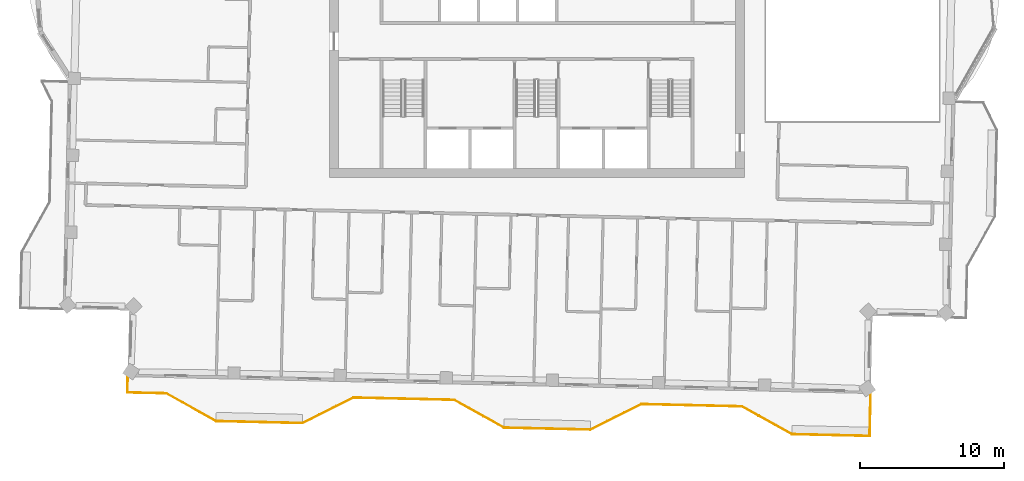
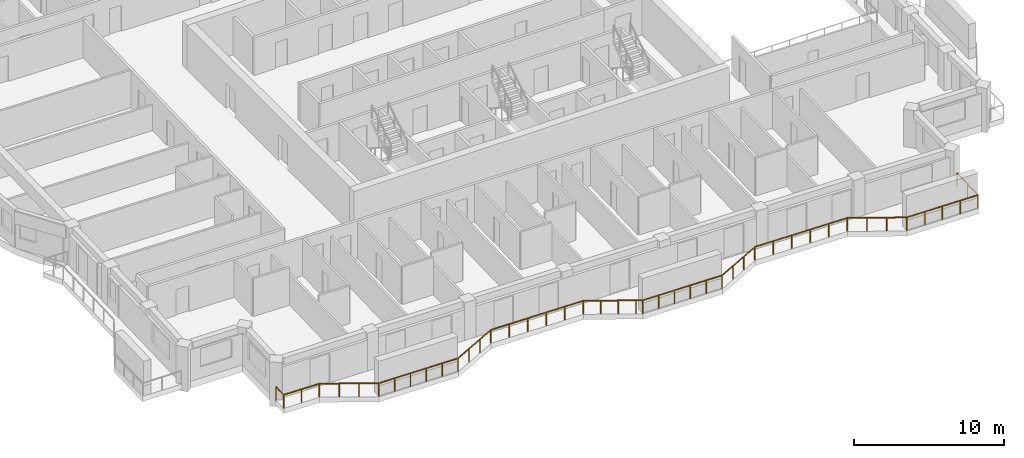
# One storey, part 13 of 15: 1 railing.
"""IFC4 building model written with IfcOpenShell, lengths in metres."""

from ifc_helpers import new_model, si_unit, direction, frame, origin, origin_2d, place, context, subcontext, project, spatial, rectangle, extrude, material, type_object, element, save


model = new_model("IFC4")

# Units and contexts
model_context = context("Model", 3, precision=1e-05, world=origin(), true_north=direction((0.0, 1.0)))
body_context = subcontext(model_context, "Body", "Model", "MODEL_VIEW")
ifc_project = project(units=[si_unit("LENGTHUNIT", "METRE"), si_unit("AREAUNIT", "SQUARE_METRE"), si_unit("VOLUMEUNIT", "CUBIC_METRE"), si_unit("PLANEANGLEUNIT", "RADIAN"), si_unit("MASSUNIT", "GRAM", prefix="KILO")], contexts=[model_context])

# Site, building, storey
site_placement = place(None, origin())
site = spatial("IfcSite", under=ifc_project, at=site_placement, CompositionType="ELEMENT")
building_placement = place(site_placement, origin())
building = spatial("IfcBuilding", under=site, at=building_placement, Name="Mangrove Gate Tower", CompositionType="ELEMENT")
storey_placement = place(building_placement, frame((0.0, 0.0, 316.89990234375)))
storey = spatial("IfcBuildingStorey", under=building, at=storey_placement, Name="L81", CompositionType="ELEMENT", Elevation=316.89990234375)

# Railing
ifc_material = material(Name="Stainless steel grade 316 with laminated glass infill", Category="steel")
railing_type = type_object("IfcRailingType", Name="Balcony guard 1100", PredefinedType="GUARDRAIL", material=ifc_material)
railing_placement = place(storey_placement, frame((-28.41796875, -25.2890625, 0.0)))
element("IfcRailing", 1, at=railing_placement, inside=storey, type_object=railing_type, Name="GUARD L81 S1", PredefinedType="GUARDRAIL", context=body_context, shape_type="SweptSolid", body=[
    extrude(rectangle(XDim=0.048095703125, YDim=0.048095703125, at=origin_2d()), frame((0.0, 0.0, 1.076171875), z_axis=(-0.022590498181, -0.999744802133, 0.0), x_axis=(0.999744802133, -0.022590498181, 0.0)), (0.0, 0.0, 1.0), 1.05908203125),
    extrude(rectangle(XDim=0.048095703125, YDim=0.048095703125, at=origin_2d()), frame((-0.02392578125, -1.058837890625, 1.076171875), z_axis=(0.999744396973, -0.02260842146, 0.0), x_axis=(0.02260842146, 0.999744396973, 0.0)), (0.0, 0.0, 1.0), 2.69970703125),
    extrude(rectangle(XDim=0.048095703125, YDim=0.048095703125, at=origin_2d()), frame((2.675048828125, -1.119873046875, 1.076171875), z_axis=(0.87325689943, -0.48726008209, 0.0), x_axis=(0.48726008209, 0.87325689943, 0.0)), (0.0, 0.0, 1.0), 3.958740234375),
    extrude(rectangle(XDim=0.048095703125, YDim=0.048095703125, at=origin_2d()), frame((6.132080078125, -3.048828125, 1.076171875), z_axis=(0.999738527144, -0.022866511426, 0.0), x_axis=(0.022866511426, 0.999738527144, 0.0)), (0.0, 0.0, 1.0), 6.000244140625),
    extrude(rectangle(XDim=0.048095703125, YDim=0.048095703125, at=origin_2d()), frame((12.130859375, -3.18603515625, 1.076171875), z_axis=(0.894377854182, 0.447312255532, 0.0), x_axis=(-0.447312255532, 0.894377854182, 0.0)), (0.0, 0.0, 1.0), 3.959228515625),
    extrude(rectangle(XDim=0.048095703125, YDim=0.048095703125, at=origin_2d()), frame((15.671875, -1.4150390625, 1.076171875), z_axis=(0.999742195543, -0.022705559911, 0.0), x_axis=(0.022705559911, 0.999742195543, 0.0)), (0.0, 0.0, 1.0), 6.999755859375),
    extrude(rectangle(XDim=0.048095703125, YDim=0.048095703125, at=origin_2d()), frame((22.669921875, -1.573974609375, 1.076171875), z_axis=(0.873203214325, -0.487356282911, 0.0), x_axis=(0.487356282911, 0.873203214325, 0.0)), (0.0, 0.0, 1.0), 3.506591796875),
    extrude(rectangle(XDim=0.048095703125, YDim=0.048095703125, at=origin_2d()), frame((25.73193359375, -3.282958984375, 1.076171875), z_axis=(0.873672905931, -0.486513775182, 0.0), x_axis=(0.486513775182, 0.873672905931, 0.0)), (0.0, 0.0, 1.0), 0.4521484375),
    extrude(rectangle(XDim=0.048095703125, YDim=0.048095703125, at=origin_2d()), frame((26.126953125, -3.5029296875, 1.076171875), z_axis=(0.999743178102, -0.022662255828, 0.0), x_axis=(0.022662255828, 0.999743178102, 0.0)), (0.0, 0.0, 1.0), 6.00048828125),
    extrude(rectangle(XDim=0.048095703125, YDim=0.048095703125, at=origin_2d()), frame((32.1259765625, -3.638916015625, 1.076171875), z_axis=(0.894476522376, 0.447114919141, 0.0), x_axis=(-0.447114919141, 0.894476522376, 0.0)), (0.0, 0.0, 1.0), 3.958740234375),
    extrude(rectangle(XDim=0.048095703125, YDim=0.048095703125, at=origin_2d()), frame((35.6669921875, -1.868896484375, 1.076171875), z_axis=(0.999742195543, -0.022705559911, 0.0), x_axis=(0.022705559911, 0.999742195543, 0.0)), (0.0, 0.0, 1.0), 6.999755859375),
    extrude(rectangle(XDim=0.048095703125, YDim=0.048095703125, at=origin_2d()), frame((42.6650390625, -2.02783203125, 1.076171875), z_axis=(0.873230657876, -0.487307108654, 0.0), x_axis=(0.487307108654, 0.873230657876, 0.0)), (0.0, 0.0, 1.0), 3.958984375),
    extrude(rectangle(XDim=0.048095703125, YDim=0.048095703125, at=origin_2d()), frame((46.1220703125, -3.95703125, 1.076171875), z_axis=(0.999745510027, -0.022559148481, 0.0), x_axis=(0.022559148481, 0.999745510027, 0.0)), (0.0, 0.0, 1.0), 5.400390625),
    extrude(rectangle(XDim=0.048095703125, YDim=0.048095703125, at=origin_2d()), frame((51.52099609375, -4.078857421875, 1.076171875), z_axis=(0.022654696127, 0.999743349437, 0.0), x_axis=(-0.999743349437, 0.022654696127, 0.0)), (0.0, 0.0, 1.0), 2.90966796875),
    extrude(rectangle(XDim=0.0419921875, YDim=0.0419921875, at=origin_2d()), origin(), (0.0, 0.0, 1.0), 1.052001953125),
    extrude(rectangle(XDim=0.0419921875, YDim=0.0419921875, at=origin_2d()), frame((-0.02392578125, -1.058837890625, 0.0)), (0.0, 0.0, 1.0), 1.052001953125),
    extrude(rectangle(XDim=0.0419921875, YDim=0.0419921875, at=origin_2d()), frame((1.32568359375, -1.08935546875, 0.0)), (0.0, 0.0, 1.0), 1.052001953125),
    extrude(rectangle(XDim=0.0419921875, YDim=0.0419921875, at=origin_2d()), frame((2.675048828125, -1.119873046875, 0.0)), (0.0, 0.0, 1.0), 1.052001953125),
    extrude(rectangle(XDim=0.0419921875, YDim=0.0419921875, at=origin_2d()), frame((3.827392578125, -1.762939453125, 0.0)), (0.0, 0.0, 1.0), 1.052001953125),
    extrude(rectangle(XDim=0.0419921875, YDim=0.0419921875, at=origin_2d()), frame((4.979736328125, -2.40576171875, 0.0)), (0.0, 0.0, 1.0), 1.052001953125),
    extrude(rectangle(XDim=0.0419921875, YDim=0.0419921875, at=origin_2d()), frame((6.132080078125, -3.048828125, 0.0)), (0.0, 0.0, 1.0), 1.052001953125),
    extrude(rectangle(XDim=0.0419921875, YDim=0.0419921875, at=origin_2d()), frame((7.331787109375, -3.076171875, 0.0)), (0.0, 0.0, 1.0), 1.052001953125),
    extrude(rectangle(XDim=0.0419921875, YDim=0.0419921875, at=origin_2d()), frame((8.531494140625, -3.103759765625, 0.0)), (0.0, 0.0, 1.0), 1.052001953125),
    extrude(rectangle(XDim=0.0419921875, YDim=0.0419921875, at=origin_2d()), frame((9.7314453125, -3.131103515625, 0.0)), (0.0, 0.0, 1.0), 1.052001953125),
    extrude(rectangle(XDim=0.0419921875, YDim=0.0419921875, at=origin_2d()), frame((10.93115234375, -3.15869140625, 0.0)), (0.0, 0.0, 1.0), 1.052001953125),
    extrude(rectangle(XDim=0.0419921875, YDim=0.0419921875, at=origin_2d()), frame((12.130859375, -3.18603515625, 0.0)), (0.0, 0.0, 1.0), 1.052001953125),
    extrude(rectangle(XDim=0.0419921875, YDim=0.0419921875, at=origin_2d()), frame((13.311279296875, -2.595703125, 0.0)), (0.0, 0.0, 1.0), 1.052001953125),
    extrude(rectangle(XDim=0.0419921875, YDim=0.0419921875, at=origin_2d()), frame((14.491455078125, -2.00537109375, 0.0)), (0.0, 0.0, 1.0), 1.052001953125),
    extrude(rectangle(XDim=0.0419921875, YDim=0.0419921875, at=origin_2d()), frame((15.671875, -1.4150390625, 0.0)), (0.0, 0.0, 1.0), 1.052001953125),
    extrude(rectangle(XDim=0.0419921875, YDim=0.0419921875, at=origin_2d()), frame((17.071533203125, -1.44677734375, 0.0)), (0.0, 0.0, 1.0), 1.052001953125),
    extrude(rectangle(XDim=0.0419921875, YDim=0.0419921875, at=origin_2d()), frame((18.47119140625, -1.478515625, 0.0)), (0.0, 0.0, 1.0), 1.052001953125),
    extrude(rectangle(XDim=0.0419921875, YDim=0.0419921875, at=origin_2d()), frame((19.87060546875, -1.510498046875, 0.0)), (0.0, 0.0, 1.0), 1.052001953125),
    extrude(rectangle(XDim=0.0419921875, YDim=0.0419921875, at=origin_2d()), frame((21.270263671875, -1.542236328125, 0.0)), (0.0, 0.0, 1.0), 1.052001953125),
    extrude(rectangle(XDim=0.0419921875, YDim=0.0419921875, at=origin_2d()), frame((22.669921875, -1.573974609375, 0.0)), (0.0, 0.0, 1.0), 1.052001953125),
    extrude(rectangle(XDim=0.0419921875, YDim=0.0419921875, at=origin_2d()), frame((23.690673828125, -2.1435546875, 0.0)), (0.0, 0.0, 1.0), 1.052001953125),
    extrude(rectangle(XDim=0.0419921875, YDim=0.0419921875, at=origin_2d()), frame((24.711181640625, -2.71337890625, 0.0)), (0.0, 0.0, 1.0), 1.052001953125),
    extrude(rectangle(XDim=0.0419921875, YDim=0.0419921875, at=origin_2d()), frame((25.73193359375, -3.282958984375, 0.0)), (0.0, 0.0, 1.0), 1.052001953125),
    extrude(rectangle(XDim=0.0419921875, YDim=0.0419921875, at=origin_2d()), frame((26.126953125, -3.5029296875, 0.0)), (0.0, 0.0, 1.0), 1.052001953125),
    extrude(rectangle(XDim=0.0419921875, YDim=0.0419921875, at=origin_2d()), frame((27.32666015625, -3.530029296875, 0.0)), (0.0, 0.0, 1.0), 1.052001953125),
    extrude(rectangle(XDim=0.0419921875, YDim=0.0419921875, at=origin_2d()), frame((28.526611328125, -3.557373046875, 0.0)), (0.0, 0.0, 1.0), 1.052001953125),
    extrude(rectangle(XDim=0.0419921875, YDim=0.0419921875, at=origin_2d()), frame((29.726318359375, -3.58447265625, 0.0)), (0.0, 0.0, 1.0), 1.052001953125),
    extrude(rectangle(XDim=0.0419921875, YDim=0.0419921875, at=origin_2d()), frame((30.92626953125, -3.61181640625, 0.0)), (0.0, 0.0, 1.0), 1.052001953125),
    extrude(rectangle(XDim=0.0419921875, YDim=0.0419921875, at=origin_2d()), frame((32.1259765625, -3.638916015625, 0.0)), (0.0, 0.0, 1.0), 1.052001953125),
    extrude(rectangle(XDim=0.0419921875, YDim=0.0419921875, at=origin_2d()), frame((33.306396484375, -3.048828125, 0.0)), (0.0, 0.0, 1.0), 1.052001953125),
    extrude(rectangle(XDim=0.0419921875, YDim=0.0419921875, at=origin_2d()), frame((34.486572265625, -2.458984375, 0.0)), (0.0, 0.0, 1.0), 1.052001953125),
    extrude(rectangle(XDim=0.0419921875, YDim=0.0419921875, at=origin_2d()), frame((35.6669921875, -1.868896484375, 0.0)), (0.0, 0.0, 1.0), 1.052001953125),
    extrude(rectangle(XDim=0.0419921875, YDim=0.0419921875, at=origin_2d()), frame((37.066650390625, -1.900634765625, 0.0)), (0.0, 0.0, 1.0), 1.052001953125),
    extrude(rectangle(XDim=0.0419921875, YDim=0.0419921875, at=origin_2d()), frame((38.46630859375, -1.932373046875, 0.0)), (0.0, 0.0, 1.0), 1.052001953125),
    extrude(rectangle(XDim=0.0419921875, YDim=0.0419921875, at=origin_2d()), frame((39.86572265625, -1.96435546875, 0.0)), (0.0, 0.0, 1.0), 1.052001953125),
    extrude(rectangle(XDim=0.0419921875, YDim=0.0419921875, at=origin_2d()), frame((41.265380859375, -1.99609375, 0.0)), (0.0, 0.0, 1.0), 1.052001953125),
    extrude(rectangle(XDim=0.0419921875, YDim=0.0419921875, at=origin_2d()), frame((42.6650390625, -2.02783203125, 0.0)), (0.0, 0.0, 1.0), 1.052001953125),
    extrude(rectangle(XDim=0.0419921875, YDim=0.0419921875, at=origin_2d()), frame((43.8173828125, -2.6708984375, 0.0)), (0.0, 0.0, 1.0), 1.052001953125),
    extrude(rectangle(XDim=0.0419921875, YDim=0.0419921875, at=origin_2d()), frame((44.9697265625, -3.31396484375, 0.0)), (0.0, 0.0, 1.0), 1.052001953125),
    extrude(rectangle(XDim=0.0419921875, YDim=0.0419921875, at=origin_2d()), frame((46.1220703125, -3.95703125, 0.0)), (0.0, 0.0, 1.0), 1.052001953125),
    extrude(rectangle(XDim=0.0419921875, YDim=0.0419921875, at=origin_2d()), frame((47.4716796875, -3.987548828125, 0.0)), (0.0, 0.0, 1.0), 1.052001953125),
    extrude(rectangle(XDim=0.0419921875, YDim=0.0419921875, at=origin_2d()), frame((48.821533203125, -4.01806640625, 0.0)), (0.0, 0.0, 1.0), 1.052001953125),
    extrude(rectangle(XDim=0.0419921875, YDim=0.0419921875, at=origin_2d()), frame((50.17138671875, -4.04833984375, 0.0)), (0.0, 0.0, 1.0), 1.052001953125),
    extrude(rectangle(XDim=0.0419921875, YDim=0.0419921875, at=origin_2d()), frame((51.52099609375, -4.078857421875, 0.0)), (0.0, 0.0, 1.0), 1.052001953125),
    extrude(rectangle(XDim=0.0419921875, YDim=0.0419921875, at=origin_2d()), frame((51.553955078125, -2.62451171875, 0.0)), (0.0, 0.0, 1.0), 1.052001953125),
    extrude(rectangle(XDim=0.0419921875, YDim=0.0419921875, at=origin_2d()), frame((51.5869140625, -1.169921875, 0.0)), (0.0, 0.0, 1.0), 1.052001953125),
])

save(model, "model.ifc")
